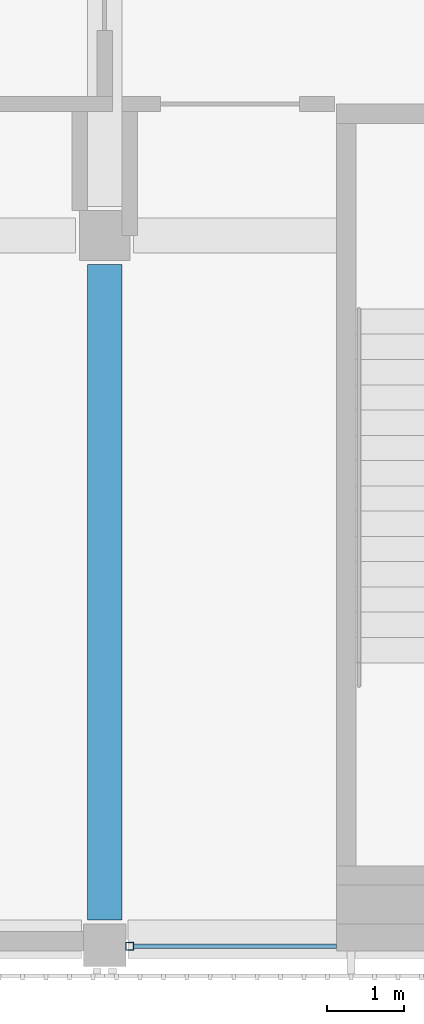
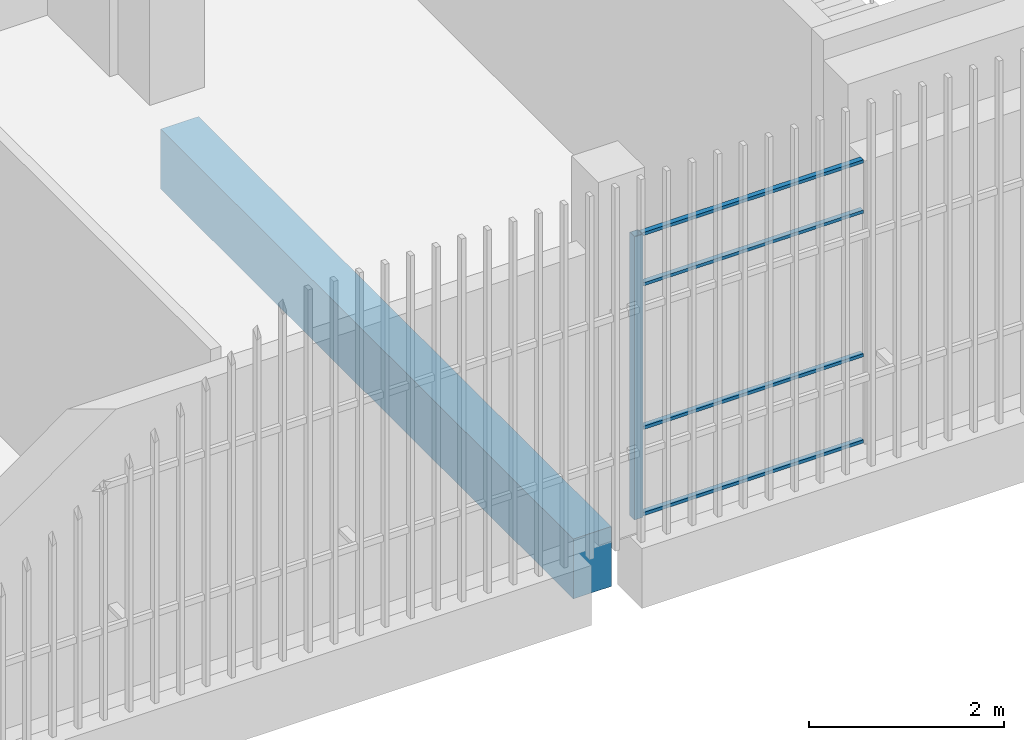
# One storey, part 29 of 139: 5 members, 1 beam, 1 element without a shape of its own.
"""IFC4 building model written with IfcOpenShell, lengths in metres."""

from ifc_helpers import new_model, si_unit, direction, frame, origin, origin_2d, place, context, subcontext, project, spatial, rectangle, hollow_rectangle, extrude, material, layer, layer_set, material_profile, profile_set, type_object, element, aggregate, save


model = new_model("IFC4")

# Units and contexts
model_context = context("Model", 3, precision=1e-05, world=origin(), true_north=direction((0.0, 1.0)))
body_context = subcontext(model_context, "Body", "Model", "MODEL_VIEW")
ifc_project = project(units=[si_unit("LENGTHUNIT", "METRE"), si_unit("AREAUNIT", "SQUARE_METRE"), si_unit("VOLUMEUNIT", "CUBIC_METRE"), si_unit("PLANEANGLEUNIT", "RADIAN"), si_unit("MASSUNIT", "GRAM", prefix="KILO")], contexts=[model_context])

# Site, building, storey
site_placement = place(None, origin())
site = spatial("IfcSite", under=ifc_project, at=site_placement, CompositionType="ELEMENT")
building_placement = place(site_placement, origin())
building = spatial("IfcBuilding", under=site, at=building_placement, Name="Shirokan Park Arena", CompositionType="ELEMENT")
storey_placement = place(building_placement, frame((0.0, 0.0, 15.469970703125)))
storey = spatial("IfcBuildingStorey", under=building, at=storey_placement, Name="L03", CompositionType="ELEMENT", Elevation=15.469970703125)

# Curtain wall, member
ifc_material_1 = material(Name="Steel and glass curtain wall", Category="steel")
ifc_layer = layer(ifc_material_1, 0.1201171875)
ifc_layer_set = layer_set([ifc_layer], Name="Steel and glass curtain wall 120 mm")
curtain_wall_type = type_object("IfcCurtainWallType", Name="Curtain wall corner block side bay 120", PredefinedType="NOTDEFINED", material=ifc_layer_set)
curtain_wall_placement = place(storey_placement, origin())
curtain_wall = element("IfcCurtainWall", 1, at=curtain_wall_placement, inside=storey, type_object=curtain_wall_type, Name="Curtain wall south bay 13 L03", PredefinedType="NOTDEFINED")
ifc_material_2 = material(Name="Steel S355", Category="steel")
ifc_material_profile_1 = material_profile(ifc_material_2, hollow_rectangle(XDim=0.10009765625, YDim=0.10009765625, WallThickness=0.006103515625, at=origin_2d()), Name="RHS 100x100x6")
ifc_profile_set_1 = profile_set([ifc_material_profile_1], Name="Steel S355")
member_type_1 = type_object("IfcMemberType", Name="Mullion RHS 100x100x6", PredefinedType="MULLION", material=ifc_profile_set_1)
member_1_placement = place(storey_placement, frame((109.52490234375, -0.090087890625, 0.0), z_axis=(0.0, 0.0, 1.0), x_axis=(0.0, 1.0, 0.0)))
member_1 = element("IfcMember", 2, at=member_1_placement, type_object=member_type_1, Name="CW3 mullion 1", PredefinedType="MULLION", context=body_context, shape_type="SweptSolid", body=[
    extrude(hollow_rectangle(XDim=0.10009765625, YDim=0.10009765625, WallThickness=0.006103515625, at=origin_2d()), origin(), (0.0, 0.0, 1.0), 3.550048828125),
])

# Beam
ifc_material_3 = material(Name="Concrete C35", Category="concrete")
ifc_material_profile_2 = material_profile(ifc_material_3, rectangle(XDim=0.449951171875, YDim=0.75, at=origin_2d()), Name="450x750")
ifc_profile_set_2 = profile_set([ifc_material_profile_2], Name="Concrete C35")
beam_type = type_object("IfcBeamType", Name="RC girder 450x750", PredefinedType="BEAM", material=ifc_profile_set_2)
beam_placement = place(storey_placement, frame((109.199951171875, 0.25, -0.675048828125), z_axis=(0.0, 1.0, 0.0), x_axis=(-1.0, 0.0, 0.0)))
element("IfcBeam", 3, at=beam_placement, inside=storey, type_object=beam_type, Name="Girder 13A-13B L03", PredefinedType="BEAM", context=body_context, shape_type="SweptSolid", body=[
    extrude(rectangle(XDim=0.449951171875, YDim=0.75, at=origin_2d()), origin(), (0.0, 0.0, 1.0), 8.474853515625),
])

# Member
ifc_material_profile_3 = material_profile(ifc_material_2, hollow_rectangle(XDim=0.06005859375, YDim=0.0400390625, WallThickness=0.00390625, at=origin_2d()), Name="RHS 60x40x4")
ifc_profile_set_3 = profile_set([ifc_material_profile_3], Name="Steel S355")
member_type_2 = type_object("IfcMemberType", Name="Transom RHS 60x40x4", PredefinedType="MULLION", material=ifc_profile_set_3)
member_2_placement = place(storey_placement, frame((109.574951171875, -0.090087890625, 0.02001953125), z_axis=(1.0, 0.0, 0.0), x_axis=(0.0, 1.0, 0.0)))
member_2 = element("IfcMember", 4, at=member_2_placement, type_object=member_type_2, Name="CW3 transom 1.1", PredefinedType="MULLION", context=body_context, shape_type="SweptSolid", body=[
    extrude(hollow_rectangle(XDim=0.06005859375, YDim=0.0400390625, WallThickness=0.00390625, at=origin_2d()), origin(), (0.0, 0.0, 1.0), 2.625),
])

member_3_placement = place(storey_placement, frame((109.574951171875, -0.090087890625, 1.10009765625), z_axis=(1.0, 0.0, 0.0), x_axis=(0.0, 1.0, 0.0)))
member_3 = element("IfcMember", 5, at=member_3_placement, type_object=member_type_2, Name="CW3 transom 1.2", PredefinedType="MULLION", context=body_context, shape_type="SweptSolid", body=[
    extrude(hollow_rectangle(XDim=0.06005859375, YDim=0.0400390625, WallThickness=0.00390625, at=origin_2d()), origin(), (0.0, 0.0, 1.0), 2.625),
])

member_4_placement = place(storey_placement, frame((109.574951171875, -0.090087890625, 2.900146484375), z_axis=(1.0, 0.0, 0.0), x_axis=(0.0, 1.0, 0.0)))
member_4 = element("IfcMember", 6, at=member_4_placement, type_object=member_type_2, Name="CW3 transom 1.3", PredefinedType="MULLION", context=body_context, shape_type="SweptSolid", body=[
    extrude(hollow_rectangle(XDim=0.06005859375, YDim=0.0400390625, WallThickness=0.00390625, at=origin_2d()), origin(), (0.0, 0.0, 1.0), 2.625),
])

member_5_placement = place(storey_placement, frame((109.574951171875, -0.090087890625, 3.530029296875), z_axis=(1.0, 0.0, 0.0), x_axis=(0.0, 1.0, 0.0)))
member_5 = element("IfcMember", 7, at=member_5_placement, type_object=member_type_2, Name="CW3 transom 1.4", PredefinedType="MULLION", context=body_context, shape_type="SweptSolid", body=[
    extrude(hollow_rectangle(XDim=0.06005859375, YDim=0.0400390625, WallThickness=0.00390625, at=origin_2d()), origin(), (0.0, 0.0, 1.0), 2.625),
])

aggregate(curtain_wall, [member_1, member_2, member_3, member_4, member_5])

save(model, "model.ifc")
